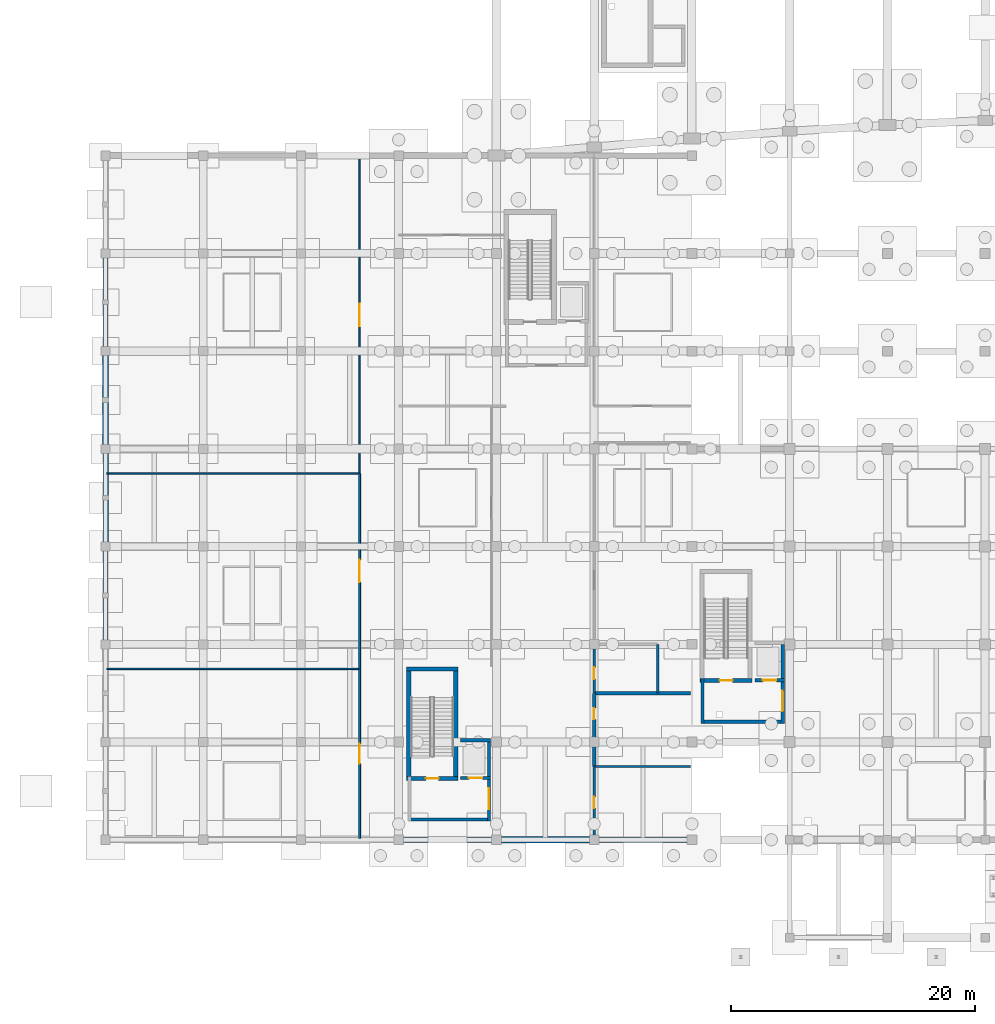
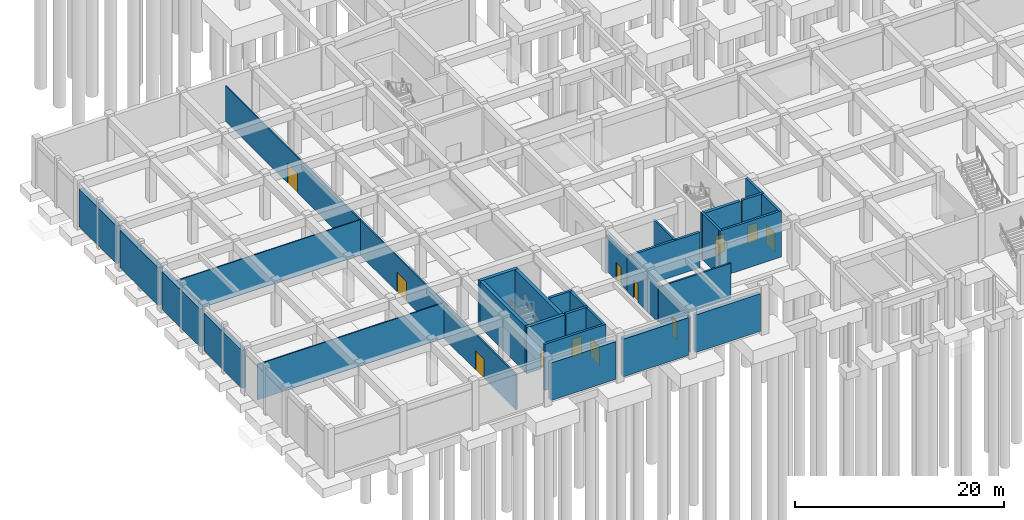
# One storey, part 25 of 45: 33 walls, 12 doors, 12 openings.
"""IFC4 building model written with IfcOpenShell, lengths in metres."""

from ifc_helpers import new_model, si_unit, direction, frame, frame_2d, origin, place, context, subcontext, project, spatial, rectangle, extrude, material, layer, layer_set, type_object, element, fill, save


model = new_model("IFC4")

# Units and contexts
model_context = context("Model", 3, precision=1e-05, world=origin(), true_north=direction((0.0, 1.0)))
body_context = subcontext(model_context, "Body", "Model", "MODEL_VIEW")
ifc_project = project(units=[si_unit("LENGTHUNIT", "METRE"), si_unit("AREAUNIT", "SQUARE_METRE"), si_unit("VOLUMEUNIT", "CUBIC_METRE"), si_unit("PLANEANGLEUNIT", "RADIAN"), si_unit("MASSUNIT", "GRAM", prefix="KILO")], contexts=[model_context])

# Site, building, storey
site_placement = place(None, origin())
site = spatial("IfcSite", under=ifc_project, at=site_placement, CompositionType="ELEMENT")
building_placement = place(site_placement, origin())
building = spatial("IfcBuilding", under=site, at=building_placement, Name="Kenh Van Central Station", CompositionType="ELEMENT")
storey_placement = place(building_placement, frame((0.0, 0.0, -5.39990234375)))
storey = spatial("IfcBuildingStorey", under=building, at=storey_placement, Name="B1", CompositionType="ELEMENT", Elevation=-5.39990234375)

# Wall, opening, door
ifc_material_1 = material(Name="Concrete C40/50", Category="concrete")
ifc_layer_1 = layer(ifc_material_1, 0.280029296875, Name="Concrete C40/50")
ifc_layer_set_1 = layer_set([ifc_layer_1], Name="Concrete C40/50")
wall_type_1 = type_object("IfcWallType", Name="WL-CORE-280", PredefinedType="SHEAR", material=ifc_layer_set_1)
wall_1_placement = place(storey_placement, frame((29.050048828125, 13.06005859375, 0.0), z_axis=(0.0, 0.0, 1.0), x_axis=(1.0, 0.0, 0.0)))
wall_1 = element("IfcWall", 1, at=wall_1_placement, inside=storey, type_object=wall_type_1, Name="B1 LIFT-P1 shaft wall S", PredefinedType="SHEAR", context=body_context, shape_type="SweptSolid", body=[
    extrude(rectangle(XDim=2.47998046875, YDim=0.280029296875, at=frame_2d((1.239990234375, 0.0))), origin(), (0.0, 0.0, 1.0), 5.39990234375),
])
opening_1_placement = place(wall_1_placement, frame((0.68994140625, 0.0, 0.0)))
opening_1 = element("IfcOpeningElement", 2, at=opening_1_placement, cuts=wall_1, Name="Opening LD-P1", PredefinedType="OPENING", context=body_context, shape_type="SweptSolid", body=[
    extrude(rectangle(XDim=1.10009765625, YDim=2.14990234375, at=frame_2d((0.550048828125, 1.074951171875))), frame((0.0, 0.14990234375, 0.0), z_axis=(0.0, -1.0, 0.0), x_axis=(1.0, 0.0, 0.0)), (0.0, 0.0, 1.0), 0.300048828125),
])
ifc_material_2 = material(Name="Champagne anodised aluminium", Category="aluminium")
door_type_1 = type_object("IfcDoorType", Name="DR-LIFT-1100x2150", OperationType="SLIDING_TO_LEFT", PredefinedType="DOOR", material=ifc_material_2)
door_1_placement = place(opening_1_placement, origin())
door_1 = element("IfcDoor", 3, at=door_1_placement, inside=storey, type_object=door_type_1, Name="B1 LIFT-P1 sliding landing door", OperationType="SLIDING_TO_LEFT", OverallHeight=2.14990234375, OverallWidth=1.10009765625, PredefinedType="DOOR", context=body_context, shape_type="SweptSolid", body=[
    extrude(rectangle(XDim=1.10009765625, YDim=2.14990234375, at=frame_2d((0.550048828125, 1.074951171875))), frame((0.0, 0.02490234375, 0.0), z_axis=(0.0, -1.0, 0.0), x_axis=(1.0, 0.0, 0.0)), (0.0, 0.0, 1.0), 0.050048828125),
])
fill(opening_1, door_1)

# Walls
wall_2_placement = place(storey_placement, frame((29.050048828125, 16.139892578125, 0.0), z_axis=(0.0, 0.0, 1.0), x_axis=(1.0, 0.0, 0.0)))
element("IfcWall", 4, at=wall_2_placement, inside=storey, type_object=wall_type_1, Name="B1 LIFT-P1 shaft wall N", PredefinedType="SHEAR", context=body_context, shape_type="SweptSolid", body=[
    extrude(rectangle(XDim=2.47998046875, YDim=0.280029296875, at=frame_2d((1.239990234375, 0.0))), origin(), (0.0, 0.0, 1.0), 5.39990234375),
])
wall_3_placement = place(storey_placement, frame((31.389892578125, 13.199951171875, 0.0), z_axis=(0.0, 0.0, 1.0), x_axis=(0.0, 1.0, 0.0)))
element("IfcWall", 5, at=wall_3_placement, inside=storey, type_object=wall_type_1, Name="B1 LIFT-P1 shaft wall E", PredefinedType="SHEAR", context=body_context, shape_type="SweptSolid", body=[
    extrude(rectangle(XDim=2.800048828125, YDim=0.280029296875, at=frame_2d((1.39990234375, 0.0))), origin(), (0.0, 0.0, 1.0), 5.39990234375),
])

# Wall, opening, door
wall_4_placement = place(storey_placement, frame((53.14990234375, 21.06005859375, 0.0), z_axis=(0.0, 0.0, 1.0), x_axis=(1.0, 0.0, 0.0)))
wall_4 = element("IfcWall", 6, at=wall_4_placement, inside=storey, type_object=wall_type_1, Name="B1 LIFT-P3 shaft wall S", PredefinedType="SHEAR", context=body_context, shape_type="SweptSolid", body=[
    extrude(rectangle(XDim=2.43017578125, YDim=0.280029296875, at=frame_2d((1.215087890625, 0.0))), origin(), (0.0, 0.0, 1.0), 5.39990234375),
])
opening_2_placement = place(wall_4_placement, frame((0.6650390625, 0.0, 0.0)))
opening_2 = element("IfcOpeningElement", 7, at=opening_2_placement, cuts=wall_4, Name="Opening LD-P1", PredefinedType="OPENING", context=body_context, shape_type="SweptSolid", body=[
    extrude(rectangle(XDim=1.10009765625, YDim=2.14990234375, at=frame_2d((0.550048828125, 1.074951171875))), frame((0.0, 0.14990234375, 0.0), z_axis=(0.0, -1.0, 0.0), x_axis=(1.0, 0.0, 0.0)), (0.0, 0.0, 1.0), 0.300048828125),
])
door_2_placement = place(opening_2_placement, origin())
door_2 = element("IfcDoor", 8, at=door_2_placement, inside=storey, type_object=door_type_1, Name="B1 LIFT-P3 sliding landing door", OperationType="SLIDING_TO_LEFT", OverallHeight=2.14990234375, OverallWidth=1.10009765625, PredefinedType="DOOR", context=body_context, shape_type="SweptSolid", body=[
    extrude(rectangle(XDim=1.10009765625, YDim=2.14990234375, at=frame_2d((0.550048828125, 1.074951171875))), frame((0.0, 0.02490234375, 0.0), z_axis=(0.0, -1.0, 0.0), x_axis=(1.0, 0.0, 0.0)), (0.0, 0.0, 1.0), 0.050048828125),
])
fill(opening_2, door_2)

# Wall
wall_5_placement = place(storey_placement, frame((55.43994140625, 21.199951171875, 0.0), z_axis=(0.0, 0.0, 1.0), x_axis=(0.0, 1.0, 0.0)))
element("IfcWall", 9, at=wall_5_placement, inside=storey, type_object=wall_type_1, Name="B1 LIFT-P3 shaft wall E", PredefinedType="SHEAR", context=body_context, shape_type="SweptSolid", body=[
    extrude(rectangle(XDim=2.800048828125, YDim=0.280029296875, at=frame_2d((1.39990234375, 0.0))), origin(), (0.0, 0.0, 1.0), 5.39990234375),
])

# Wall, opening, door
ifc_layer_2 = layer(ifc_material_1, 0.320068359375, Name="Concrete C40/50")
ifc_layer_set_2 = layer_set([ifc_layer_2], Name="Concrete C40/50")
wall_type_2 = type_object("IfcWallType", Name="WL-CORE-320", PredefinedType="SHEAR", material=ifc_layer_set_2)
wall_6_placement = place(storey_placement, frame((48.679931640625, 21.0400390625, 0.0), z_axis=(0.0, 0.0, 1.0), x_axis=(1.0, 0.0, 0.0)))
wall_6 = element("IfcWall", 10, at=wall_6_placement, inside=storey, type_object=wall_type_2, Name="B1 CORE-03 stair wall S", PredefinedType="SHEAR", context=body_context, shape_type="SweptSolid", body=[
    extrude(rectangle(XDim=4.239990234375, YDim=0.320068359375, at=frame_2d((2.1201171875, 0.0))), origin(), (0.0, 0.0, 1.0), 5.39990234375),
])
opening_3_placement = place(wall_6_placement, frame((1.594970703125, 0.0, 0.0)))
opening_3 = element("IfcOpeningElement", 11, at=opening_3_placement, cuts=wall_6, Name="Opening D-FD60", PredefinedType="OPENING", context=body_context, shape_type="SweptSolid", body=[
    extrude(rectangle(XDim=1.050048828125, YDim=2.14990234375, at=frame_2d((0.52490234375, 1.074951171875))), frame((0.0, 0.169921875, 0.0), z_axis=(0.0, -1.0, 0.0), x_axis=(1.0, 0.0, 0.0)), (0.0, 0.0, 1.0), 0.340087890625),
])
door_type_2 = type_object("IfcDoorType", Name="DR-FIRE-1050x2150", OperationType="NOTDEFINED", PredefinedType="DOOR", material=ifc_material_2)
door_3_placement = place(opening_3_placement, origin())
door_3 = element("IfcDoor", 12, at=door_3_placement, inside=storey, type_object=door_type_2, Name="B1 ST-03 stair door", OperationType="SINGLE_SWING_RIGHT", OverallHeight=2.14990234375, OverallWidth=1.050048828125, PredefinedType="DOOR", context=body_context, shape_type="SweptSolid", body=[
    extrude(rectangle(XDim=1.050048828125, YDim=2.14990234375, at=frame_2d((0.52490234375, 1.074951171875))), frame((0.0, 0.02490234375, 0.0), z_axis=(0.0, -1.0, 0.0), x_axis=(1.0, 0.0, 0.0)), (0.0, 0.0, 1.0), 0.050048828125),
])
fill(opening_3, door_3)

ifc_layer_3 = layer(ifc_material_1, 0.360107421875, Name="Concrete C40/50")
ifc_layer_set_3 = layer_set([ifc_layer_3], Name="Concrete C40/50")
wall_type_3 = type_object("IfcWallType", Name="WL-CORE-360", PredefinedType="SHEAR", material=ifc_layer_set_3)
wall_7_placement = place(storey_placement, frame((24.639892578125, 13.02001953125, 0.0), z_axis=(0.0, 0.0, 1.0), x_axis=(1.0, 0.0, 0.0)))
wall_7 = element("IfcWall", 13, at=wall_7_placement, inside=storey, type_object=wall_type_3, Name="B1 CORE-01 stair wall S", PredefinedType="SHEAR", context=body_context, shape_type="SweptSolid", body=[
    extrude(rectangle(XDim=4.22021484375, YDim=0.360107421875, at=frame_2d((2.110107421875, 0.0))), origin(), (0.0, 0.0, 1.0), 5.39990234375),
])
opening_4_placement = place(wall_7_placement, frame((1.5849609375, 0.0, 0.0)))
opening_4 = element("IfcOpeningElement", 14, at=opening_4_placement, cuts=wall_7, Name="Opening D-FD60", PredefinedType="OPENING", context=body_context, shape_type="SweptSolid", body=[
    extrude(rectangle(XDim=1.050048828125, YDim=2.14990234375, at=frame_2d((0.52490234375, 1.074951171875))), frame((0.0, 0.18994140625, 0.0), z_axis=(0.0, -1.0, 0.0), x_axis=(1.0, 0.0, 0.0)), (0.0, 0.0, 1.0), 0.380126953125),
])
door_4_placement = place(opening_4_placement, origin())
door_4 = element("IfcDoor", 15, at=door_4_placement, inside=storey, type_object=door_type_2, Name="B1 ST-01 stair door", OperationType="SINGLE_SWING_RIGHT", OverallHeight=2.14990234375, OverallWidth=1.050048828125, PredefinedType="DOOR", context=body_context, shape_type="SweptSolid", body=[
    extrude(rectangle(XDim=1.050048828125, YDim=2.14990234375, at=frame_2d((0.52490234375, 1.074951171875))), frame((0.0, 0.02490234375, 0.0), z_axis=(0.0, -1.0, 0.0), x_axis=(1.0, 0.0, 0.0)), (0.0, 0.0, 1.0), 0.050048828125),
])
fill(opening_4, door_4)

# Walls
wall_8_placement = place(storey_placement, frame((24.639892578125, 21.97998046875, 0.0), z_axis=(0.0, 0.0, 1.0), x_axis=(1.0, 0.0, 0.0)))
element("IfcWall", 16, at=wall_8_placement, inside=storey, type_object=wall_type_3, Name="B1 CORE-01 stair wall N", PredefinedType="SHEAR", context=body_context, shape_type="SweptSolid", body=[
    extrude(rectangle(XDim=4.22021484375, YDim=0.360107421875, at=frame_2d((2.110107421875, 0.0))), origin(), (0.0, 0.0, 1.0), 5.39990234375),
])
for number, where, z_axis, x_axis, name in (
    (17, (24.820068359375, 13.199951171875, 0.0), (0.0, 0.0, 1.0), (0.0, 1.0, 0.0), "B1 CORE-01 stair wall W"),
    (18, (28.679931640625, 13.199951171875, 0.0), (0.0, 0.0, 1.0), (0.0, 1.0, 0.0), "B1 CORE-01 stair wall E"),
):
    element("IfcWall", number, at=place(storey_placement, frame(where, z_axis=z_axis, x_axis=x_axis)), inside=storey, type_object=wall_type_3, Name=name, PredefinedType="SHEAR", context=body_context, shape_type="SweptSolid", body=[
        extrude(rectangle(XDim=8.60009765625, YDim=0.360107421875, at=frame_2d((4.300048828125, 0.0))), origin(), (0.0, 0.0, 1.0), 5.39990234375),
    ])
ifc_layer_4 = layer(ifc_material_1, 0.260009765625, Name="Concrete C40/50")
ifc_layer_set_4 = layer_set([ifc_layer_4], Name="Concrete C40/50")
wall_type_4 = type_object("IfcWallType", Name="WL-FIRE-260", PredefinedType="SHEAR", material=ifc_layer_set_4)
wall_9_placement = place(storey_placement, frame((31.510009765625, 9.669921875, 0.0), z_axis=(0.0, 0.0, 1.0), x_axis=(-1.0, 0.0, 0.0)))
element("IfcWall", 19, at=wall_9_placement, inside=storey, type_object=wall_type_4, Name="B1 CORE-01 lobby wall S", PredefinedType="SHEAR", context=body_context, shape_type="SweptSolid", body=[
    extrude(rectangle(XDim=6.77001953125, YDim=0.260009765625, at=frame_2d((3.385009765625, 0.0))), origin(), (0.0, 0.0, 1.0), 5.39990234375),
])

# Wall, opening, door
wall_10_placement = place(storey_placement, frame((31.3798828125, 9.5400390625, 0.0), z_axis=(0.0, 0.0, 1.0), x_axis=(0.0, 1.0, 0.0)))
wall_10 = element("IfcWall", 20, at=wall_10_placement, inside=storey, type_object=wall_type_4, Name="B1 CORE-01 lobby wall E", PredefinedType="SHEAR", context=body_context, shape_type="SweptSolid", body=[
    extrude(rectangle(XDim=3.659912109375, YDim=0.260009765625, at=frame_2d((1.830078125, 0.0))), origin(), (0.0, 0.0, 1.0), 5.39990234375),
])
opening_5_placement = place(wall_10_placement, frame((0.97998046875, 0.0, 0.0)))
opening_5 = element("IfcOpeningElement", 21, at=opening_5_placement, cuts=wall_10, Name="Opening D-FD60D", PredefinedType="OPENING", context=body_context, shape_type="SweptSolid", body=[
    extrude(rectangle(XDim=1.699951171875, YDim=2.199951171875, at=frame_2d((0.85009765625, 1.10009765625))), frame((0.0, 0.139892578125, 0.0), z_axis=(0.0, -1.0, 0.0), x_axis=(1.0, 0.0, 0.0)), (0.0, 0.0, 1.0), 0.280029296875),
])
door_type_3 = type_object("IfcDoorType", Name="DR-FIRE-1700x2200", OperationType="DOUBLE_DOOR_SINGLE_SWING", PredefinedType="DOOR", material=ifc_material_2)
door_5_placement = place(opening_5_placement, origin())
door_5 = element("IfcDoor", 22, at=door_5_placement, inside=storey, type_object=door_type_3, Name="B1 CORE-01 smoke-stop lobby door", OperationType="DOUBLE_DOOR_SINGLE_SWING", OverallHeight=2.199951171875, OverallWidth=1.699951171875, PredefinedType="DOOR", context=body_context, shape_type="SweptSolid", body=[
    extrude(rectangle(XDim=1.699951171875, YDim=2.199951171875, at=frame_2d((0.85009765625, 1.10009765625))), frame((0.0, 0.02490234375, 0.0), z_axis=(0.0, -1.0, 0.0), x_axis=(1.0, 0.0, 0.0)), (0.0, 0.0, 1.0), 0.050048828125),
])
fill(opening_5, door_5)

# Walls
wall_11_placement = place(storey_placement, frame((55.56005859375, 17.669921875, 0.0), z_axis=(0.0, 0.0, 1.0), x_axis=(-1.0, 0.0, 0.0)))
element("IfcWall", 23, at=wall_11_placement, inside=storey, type_object=wall_type_4, Name="B1 CORE-03 lobby wall S", PredefinedType="SHEAR", context=body_context, shape_type="SweptSolid", body=[
    extrude(rectangle(XDim=6.820068359375, YDim=0.260009765625, at=frame_2d((3.41015625, 0.0))), origin(), (0.0, 0.0, 1.0), 5.39990234375),
])
wall_12_placement = place(storey_placement, frame((48.8701171875, 17.5400390625, 0.0), z_axis=(0.0, 0.0, 1.0), x_axis=(0.0, 1.0, 0.0)))
element("IfcWall", 24, at=wall_12_placement, inside=storey, type_object=wall_type_4, Name="B1 CORE-03 lobby wall W", PredefinedType="SHEAR", context=body_context, shape_type="SweptSolid", body=[
    extrude(rectangle(XDim=3.659912109375, YDim=0.260009765625, at=frame_2d((1.830078125, 0.0))), origin(), (0.0, 0.0, 1.0), 5.39990234375),
])

# Wall, opening, door
wall_13_placement = place(storey_placement, frame((55.429931640625, 17.5400390625, 0.0), z_axis=(0.0, 0.0, 1.0), x_axis=(0.0, 1.0, 0.0)))
wall_13 = element("IfcWall", 25, at=wall_13_placement, inside=storey, type_object=wall_type_4, Name="B1 CORE-03 lobby wall E", PredefinedType="SHEAR", context=body_context, shape_type="SweptSolid", body=[
    extrude(rectangle(XDim=3.659912109375, YDim=0.260009765625, at=frame_2d((1.830078125, 0.0))), origin(), (0.0, 0.0, 1.0), 5.39990234375),
])
opening_6_placement = place(wall_13_placement, frame((0.97998046875, 0.0, 0.0)))
opening_6 = element("IfcOpeningElement", 26, at=opening_6_placement, cuts=wall_13, Name="Opening D-FD60D", PredefinedType="OPENING", context=body_context, shape_type="SweptSolid", body=[
    extrude(rectangle(XDim=1.699951171875, YDim=2.199951171875, at=frame_2d((0.85009765625, 1.10009765625))), frame((0.0, 0.139892578125, 0.0), z_axis=(0.0, -1.0, 0.0), x_axis=(1.0, 0.0, 0.0)), (0.0, 0.0, 1.0), 0.280029296875),
])
door_6_placement = place(opening_6_placement, origin())
door_6 = element("IfcDoor", 27, at=door_6_placement, inside=storey, type_object=door_type_3, Name="B1 CORE-03 smoke-stop lobby door", OperationType="DOUBLE_DOOR_SINGLE_SWING", OverallHeight=2.199951171875, OverallWidth=1.699951171875, PredefinedType="DOOR", context=body_context, shape_type="SweptSolid", body=[
    extrude(rectangle(XDim=1.699951171875, YDim=2.199951171875, at=frame_2d((0.85009765625, 1.10009765625))), frame((0.0, 0.02490234375, 0.0), z_axis=(0.0, -1.0, 0.0), x_axis=(1.0, 0.0, 0.0)), (0.0, 0.0, 1.0), 0.050048828125),
])
fill(opening_6, door_6)

# Walls
ifc_material_3 = material(Name="Lightweight acoustic masonry blockwork", Category="masonry")
ifc_layer_5 = layer(ifc_material_3, 0.114990234375, Name="Lightweight acoustic masonry blockwork")
ifc_layer_set_5 = layer_set([ifc_layer_5], Name="Lightweight acoustic masonry blockwork")
wall_type_5 = type_object("IfcWallType", Name="WL-PART-115", PredefinedType="PARTITIONING", material=ifc_layer_set_5)
wall_14_placement = place(storey_placement, frame((0.1201171875, 38.0, 0.0), z_axis=(0.0, 0.0, 1.0), x_axis=(1.0, 0.0, 0.0)))
element("IfcWall", 28, at=wall_14_placement, inside=storey, type_object=wall_type_5, Name="B1 interior wall 0005", PredefinedType="PARTITIONING", context=body_context, shape_type="SweptSolid", body=[
    extrude(rectangle(XDim=20.659912109375, YDim=0.114990234375, at=frame_2d((10.330078125, 0.0))), origin(), (0.0, 0.0, 1.0), 4.14990234375),
])
ifc_layer_6 = layer(ifc_material_3, 0.125, Name="Lightweight acoustic masonry blockwork")
ifc_layer_set_6 = layer_set([ifc_layer_6], Name="Lightweight acoustic masonry blockwork")
wall_type_6 = type_object("IfcWallType", Name="WL-PART-125", PredefinedType="PARTITIONING", material=ifc_layer_set_6)
wall_15_placement = place(storey_placement, frame((0.1201171875, 22.0, 0.0), z_axis=(0.0, 0.0, 1.0), x_axis=(1.0, 0.0, 0.0)))
element("IfcWall", 29, at=wall_15_placement, inside=storey, type_object=wall_type_6, Name="B1 interior wall 0004", PredefinedType="PARTITIONING", context=body_context, shape_type="SweptSolid", body=[
    extrude(rectangle(XDim=20.659912109375, YDim=0.125, at=frame_2d((10.330078125, 0.0))), origin(), (0.0, 0.0, 1.0), 4.14990234375),
])

# Wall, opening, door
ifc_layer_7 = layer(ifc_material_3, 0.135009765625, Name="Lightweight acoustic masonry blockwork")
ifc_layer_set_7 = layer_set([ifc_layer_7], Name="Lightweight acoustic masonry blockwork")
wall_type_7 = type_object("IfcWallType", Name="WL-PART-135", PredefinedType="PARTITIONING", material=ifc_layer_set_7)
wall_16_placement = place(storey_placement, frame((20.800048828125, 38.02001953125, 0.0), z_axis=(0.0, 0.0, 1.0), x_axis=(0.0, 1.0, 0.0)))
wall_16 = element("IfcWall", 30, at=wall_16_placement, inside=storey, type_object=wall_type_7, Name="B1 interior wall 0003", PredefinedType="PARTITIONING", context=body_context, shape_type="SweptSolid", body=[
    extrude(rectangle(XDim=25.85986328125, YDim=0.135009765625, at=frame_2d((12.929931640625, 0.0))), origin(), (0.0, 0.0, 1.0), 4.14990234375),
])
opening_7_placement = place(wall_16_placement, frame((12.0048828125, 0.0, 0.0)))
opening_7 = element("IfcOpeningElement", 31, at=opening_7_placement, cuts=wall_16, Name="Opening D-IN01", PredefinedType="OPENING", context=body_context, shape_type="SweptSolid", body=[
    extrude(rectangle(XDim=1.85009765625, YDim=2.300048828125, at=frame_2d((0.925048828125, 1.14990234375))), frame((0.0, 0.077392578125, 0.0), z_axis=(0.0, -1.0, 0.0), x_axis=(1.0, 0.0, 0.0)), (0.0, 0.0, 1.0), 0.155029296875),
])
ifc_material_4 = material(Name="Architectural hardwood timber", Category="wood")
door_type_4 = type_object("IfcDoorType", Name="DR-INT-1850x2300", OperationType="DOUBLE_DOOR_SINGLE_SWING", PredefinedType="DOOR", material=ifc_material_4)
door_7_placement = place(opening_7_placement, origin())
door_7 = element("IfcDoor", 32, at=door_7_placement, inside=storey, type_object=door_type_4, Name="B1 interior door 0003", OperationType="DOUBLE_DOOR_SINGLE_SWING", OverallHeight=2.300048828125, OverallWidth=1.85009765625, PredefinedType="DOOR", context=body_context, shape_type="SweptSolid", body=[
    extrude(rectangle(XDim=1.85009765625, YDim=2.300048828125, at=frame_2d((0.925048828125, 1.14990234375))), frame((0.0, 0.02490234375, 0.0), z_axis=(0.0, -1.0, 0.0), x_axis=(1.0, 0.0, 0.0)), (0.0, 0.0, 1.0), 0.050048828125),
])
fill(opening_7, door_7)

ifc_layer_8 = layer(ifc_material_3, 0.14990234375, Name="Lightweight acoustic masonry blockwork")
ifc_layer_set_8 = layer_set([ifc_layer_8], Name="Lightweight acoustic masonry blockwork")
wall_type_8 = type_object("IfcWallType", Name="WL-PART-150", PredefinedType="PARTITIONING", material=ifc_layer_set_8)
wall_17_placement = place(storey_placement, frame((20.800048828125, 22.02001953125, 0.0), z_axis=(0.0, 0.0, 1.0), x_axis=(0.0, 1.0, 0.0)))
wall_17 = element("IfcWall", 33, at=wall_17_placement, inside=storey, type_object=wall_type_8, Name="B1 interior wall 0002", PredefinedType="PARTITIONING", context=body_context, shape_type="SweptSolid", body=[
    extrude(rectangle(XDim=15.9599609375, YDim=0.14990234375, at=frame_2d((7.97998046875, 0.0))), origin(), (0.0, 0.0, 1.0), 4.14990234375),
])
opening_8_placement = place(wall_17_placement, frame((7.054931640625, 0.0, 0.0)))
opening_8 = element("IfcOpeningElement", 34, at=opening_8_placement, cuts=wall_17, Name="Opening D-IN01", PredefinedType="OPENING", context=body_context, shape_type="SweptSolid", body=[
    extrude(rectangle(XDim=1.85009765625, YDim=2.300048828125, at=frame_2d((0.925048828125, 1.14990234375))), frame((0.0, 0.0849609375, 0.0), z_axis=(0.0, -1.0, 0.0), x_axis=(1.0, 0.0, 0.0)), (0.0, 0.0, 1.0), 0.169921875),
])
door_8_placement = place(opening_8_placement, origin())
door_8 = element("IfcDoor", 35, at=door_8_placement, inside=storey, type_object=door_type_4, Name="B1 interior door 0002", OperationType="DOUBLE_DOOR_SINGLE_SWING", OverallHeight=2.300048828125, OverallWidth=1.85009765625, PredefinedType="DOOR", context=body_context, shape_type="SweptSolid", body=[
    extrude(rectangle(XDim=1.85009765625, YDim=2.300048828125, at=frame_2d((0.925048828125, 1.14990234375))), frame((0.0, 0.02490234375, 0.0), z_axis=(0.0, -1.0, 0.0), x_axis=(1.0, 0.0, 0.0)), (0.0, 0.0, 1.0), 0.050048828125),
])
fill(opening_8, door_8)

ifc_layer_9 = layer(ifc_material_3, 0.159912109375, Name="Lightweight acoustic masonry blockwork")
ifc_layer_set_9 = layer_set([ifc_layer_9], Name="Lightweight acoustic masonry blockwork")
wall_type_9 = type_object("IfcWallType", Name="WL-PART-160", PredefinedType="PARTITIONING", material=ifc_layer_set_9)
wall_18_placement = place(storey_placement, frame((20.800048828125, 8.1201171875, 0.0), z_axis=(0.0, 0.0, 1.0), x_axis=(0.0, 1.0, 0.0)))
wall_18 = element("IfcWall", 36, at=wall_18_placement, inside=storey, type_object=wall_type_9, Name="B1 interior wall 0001", PredefinedType="PARTITIONING", context=body_context, shape_type="SweptSolid", body=[
    extrude(rectangle(XDim=13.85986328125, YDim=0.159912109375, at=frame_2d((6.929931640625, 0.0))), origin(), (0.0, 0.0, 1.0), 4.14990234375),
])
opening_9_placement = place(wall_18_placement, frame((6.10498046875, 0.0, 0.0)))
opening_9 = element("IfcOpeningElement", 37, at=opening_9_placement, cuts=wall_18, Name="Opening D-IN02", PredefinedType="OPENING", context=body_context, shape_type="SweptSolid", body=[
    extrude(rectangle(XDim=1.64990234375, YDim=2.25, at=frame_2d((0.824951171875, 1.125))), frame((0.0, 0.08984375, 0.0), z_axis=(0.0, -1.0, 0.0), x_axis=(1.0, 0.0, 0.0)), (0.0, 0.0, 1.0), 0.179931640625),
])
door_type_5 = type_object("IfcDoorType", Name="DR-INT-1650x2250", OperationType="DOUBLE_DOOR_SINGLE_SWING", PredefinedType="DOOR", material=ifc_material_4)
door_9_placement = place(opening_9_placement, origin())
door_9 = element("IfcDoor", 38, at=door_9_placement, inside=storey, type_object=door_type_5, Name="B1 interior door 0001", OperationType="DOUBLE_DOOR_SINGLE_SWING", OverallHeight=2.25, OverallWidth=1.64990234375, PredefinedType="DOOR", context=body_context, shape_type="SweptSolid", body=[
    extrude(rectangle(XDim=1.64990234375, YDim=2.25, at=frame_2d((0.824951171875, 1.125))), frame((0.0, 0.02490234375, 0.0), z_axis=(0.0, -1.0, 0.0), x_axis=(1.0, 0.0, 0.0)), (0.0, 0.0, 1.0), 0.050048828125),
])
fill(opening_9, door_9)

ifc_layer_10 = layer(ifc_material_3, 0.18505859375, Name="Lightweight acoustic masonry blockwork")
ifc_layer_set_10 = layer_set([ifc_layer_10], Name="Lightweight acoustic masonry blockwork")
wall_type_10 = type_object("IfcWallType", Name="WL-PLMB-185", PredefinedType="PLUMBINGWALL", material=ifc_layer_set_10)
wall_19_placement = place(storey_placement, frame((40.0, 8.1201171875, 0.0), z_axis=(0.0, 0.0, 1.0), x_axis=(0.0, 1.0, 0.0)))
wall_19 = element("IfcWall", 39, at=wall_19_placement, inside=storey, type_object=wall_type_10, Name="B1 interior wall 0011", PredefinedType="PLUMBINGWALL", context=body_context, shape_type="SweptSolid", body=[
    extrude(rectangle(XDim=5.85986328125, YDim=0.18505859375, at=frame_2d((2.929931640625, 0.0))), origin(), (0.0, 0.0, 1.0), 4.14990234375),
])
opening_10_placement = place(wall_19_placement, frame((2.469970703125, 0.0, 0.0)))
opening_10 = element("IfcOpeningElement", 40, at=opening_10_placement, cuts=wall_19, Name="Opening D-IN09", PredefinedType="OPENING", context=body_context, shape_type="SweptSolid", body=[
    extrude(rectangle(XDim=0.919921875, YDim=2.10009765625, at=frame_2d((0.4599609375, 1.050048828125))), frame((0.0, 0.1025390625, 0.0), z_axis=(0.0, -1.0, 0.0), x_axis=(1.0, 0.0, 0.0)), (0.0, 0.0, 1.0), 0.205078125),
])
door_type_6 = type_object("IfcDoorType", Name="DR-INT-920x2100", OperationType="NOTDEFINED", PredefinedType="DOOR", material=ifc_material_4)
door_10_placement = place(opening_10_placement, origin())
door_10 = element("IfcDoor", 41, at=door_10_placement, inside=storey, type_object=door_type_6, Name="B1 interior door 0006", OperationType="SINGLE_SWING_LEFT", OverallHeight=2.10009765625, OverallWidth=0.919921875, PredefinedType="DOOR", context=body_context, shape_type="SweptSolid", body=[
    extrude(rectangle(XDim=0.919921875, YDim=2.10009765625, at=frame_2d((0.4599609375, 1.050048828125))), frame((0.0, 0.02490234375, 0.0), z_axis=(0.0, -1.0, 0.0), x_axis=(1.0, 0.0, 0.0)), (0.0, 0.0, 1.0), 0.050048828125),
])
fill(opening_10, door_10)

# Walls
wall_20_placement = place(storey_placement, frame((40.02001953125, 14.0, 0.0), z_axis=(0.0, 0.0, 1.0), x_axis=(1.0, 0.0, 0.0)))
element("IfcWall", 42, at=wall_20_placement, inside=storey, type_object=wall_type_10, Name="B1 interior wall 0014", PredefinedType="PLUMBINGWALL", context=body_context, shape_type="SweptSolid", body=[
    extrude(rectangle(XDim=7.85986328125, YDim=0.18505859375, at=frame_2d((3.929931640625, 0.0))), origin(), (0.0, 0.0, 1.0), 4.14990234375),
])
wall_21_placement = place(storey_placement, frame((45.199951171875, 20.02001953125, 0.0), z_axis=(0.0, 0.0, 1.0), x_axis=(0.0, 1.0, 0.0)))
element("IfcWall", 43, at=wall_21_placement, inside=storey, type_object=wall_type_10, Name="B1 interior wall 0017", PredefinedType="PLUMBINGWALL", context=body_context, shape_type="SweptSolid", body=[
    extrude(rectangle(XDim=3.9599609375, YDim=0.18505859375, at=frame_2d((1.97998046875, 0.0))), origin(), (0.0, 0.0, 1.0), 4.14990234375),
])

# Wall, opening, door
ifc_layer_11 = layer(ifc_material_3, 0.22998046875, Name="Lightweight acoustic masonry blockwork")
ifc_layer_set_11 = layer_set([ifc_layer_11], Name="Lightweight acoustic masonry blockwork")
wall_type_11 = type_object("IfcWallType", Name="WL-PLMB-230", PredefinedType="PLUMBINGWALL", material=ifc_layer_set_11)
wall_22_placement = place(storey_placement, frame((40.0, 20.02001953125, 0.0), z_axis=(0.0, 0.0, 1.0), x_axis=(0.0, 1.0, 0.0)))
wall_22 = element("IfcWall", 44, at=wall_22_placement, inside=storey, type_object=wall_type_11, Name="B1 interior wall 0013", PredefinedType="PLUMBINGWALL", context=body_context, shape_type="SweptSolid", body=[
    extrude(rectangle(XDim=3.9599609375, YDim=0.22998046875, at=frame_2d((1.97998046875, 0.0))), origin(), (0.0, 0.0, 1.0), 4.14990234375),
])
opening_11_placement = place(wall_22_placement, frame((1.139892578125, 0.0, 0.0)))
opening_11 = element("IfcOpeningElement", 45, at=opening_11_placement, cuts=wall_22, Name="Opening D-IN08", PredefinedType="OPENING", context=body_context, shape_type="SweptSolid", body=[
    extrude(rectangle(XDim=0.9599609375, YDim=2.10009765625, at=frame_2d((0.47998046875, 1.050048828125))), frame((0.0, 0.125, 0.0), z_axis=(0.0, -1.0, 0.0), x_axis=(1.0, 0.0, 0.0)), (0.0, 0.0, 1.0), 0.25),
])
door_type_7 = type_object("IfcDoorType", Name="DR-INT-960x2100", OperationType="NOTDEFINED", PredefinedType="DOOR", material=ifc_material_4)
door_11_placement = place(opening_11_placement, origin())
door_11 = element("IfcDoor", 46, at=door_11_placement, inside=storey, type_object=door_type_7, Name="B1 interior door 0008", OperationType="SINGLE_SWING_LEFT", OverallHeight=2.10009765625, OverallWidth=0.9599609375, PredefinedType="DOOR", context=body_context, shape_type="SweptSolid", body=[
    extrude(rectangle(XDim=0.9599609375, YDim=2.10009765625, at=frame_2d((0.47998046875, 1.050048828125))), frame((0.0, 0.02490234375, 0.0), z_axis=(0.0, -1.0, 0.0), x_axis=(1.0, 0.0, 0.0)), (0.0, 0.0, 1.0), 0.050048828125),
])
fill(opening_11, door_11)

ifc_layer_12 = layer(ifc_material_3, 0.27001953125, Name="Lightweight acoustic masonry blockwork")
ifc_layer_set_12 = layer_set([ifc_layer_12], Name="Lightweight acoustic masonry blockwork")
wall_type_12 = type_object("IfcWallType", Name="WL-PLMB-270", PredefinedType="PLUMBINGWALL", material=ifc_layer_set_12)
wall_23_placement = place(storey_placement, frame((40.0, 14.02001953125, 0.0), z_axis=(0.0, 0.0, 1.0), x_axis=(0.0, 1.0, 0.0)))
wall_23 = element("IfcWall", 47, at=wall_23_placement, inside=storey, type_object=wall_type_12, Name="B1 interior wall 0012", PredefinedType="PLUMBINGWALL", context=body_context, shape_type="SweptSolid", body=[
    extrude(rectangle(XDim=5.9599609375, YDim=0.27001953125, at=frame_2d((2.97998046875, 0.0))), origin(), (0.0, 0.0, 1.0), 4.14990234375),
])
opening_12_placement = place(wall_23_placement, frame((3.830322265625, 0.0, 0.0)))
opening_12 = element("IfcOpeningElement", 48, at=opening_12_placement, cuts=wall_23, Name="Opening D-IN09", PredefinedType="OPENING", context=body_context, shape_type="SweptSolid", body=[
    extrude(rectangle(XDim=0.919921875, YDim=2.10009765625, at=frame_2d((0.4599609375, 1.050048828125))), frame((0.0, 0.14501953125, 0.0), z_axis=(0.0, -1.0, 0.0), x_axis=(1.0, 0.0, 0.0)), (0.0, 0.0, 1.0), 0.2900390625),
])
door_12_placement = place(opening_12_placement, origin())
door_12 = element("IfcDoor", 49, at=door_12_placement, inside=storey, type_object=door_type_6, Name="B1 interior door 0007", OperationType="SINGLE_SWING_RIGHT", OverallHeight=2.10009765625, OverallWidth=0.919921875, PredefinedType="DOOR", context=body_context, shape_type="SweptSolid", body=[
    extrude(rectangle(XDim=0.919921875, YDim=2.10009765625, at=frame_2d((0.4599609375, 1.050048828125))), frame((0.0, 0.02490234375, 0.0), z_axis=(0.0, -1.0, 0.0), x_axis=(1.0, 0.0, 0.0)), (0.0, 0.0, 1.0), 0.050048828125),
])
fill(opening_12, door_12)

# Walls
wall_24_placement = place(storey_placement, frame((40.02001953125, 20.0, 0.0), z_axis=(0.0, 0.0, 1.0), x_axis=(1.0, 0.0, 0.0)))
element("IfcWall", 50, at=wall_24_placement, inside=storey, type_object=wall_type_12, Name="B1 interior wall 0015", PredefinedType="PLUMBINGWALL", context=body_context, shape_type="SweptSolid", body=[
    extrude(rectangle(XDim=7.85986328125, YDim=0.27001953125, at=frame_2d((3.929931640625, 0.0))), origin(), (0.0, 0.0, 1.0), 4.14990234375),
])
ifc_layer_13 = layer(ifc_material_1, 0.419921875, Name="Concrete C40/50")
ifc_layer_set_13 = layer_set([ifc_layer_13], Name="Concrete C40/50")
wall_type_13 = type_object("IfcWallType", Name="WL-RET-420", PredefinedType="USERDEFINED", material=ifc_layer_set_13)
wall_25_placement = place(storey_placement, frame((40.39990234375, 8.0, 0.0), z_axis=(0.0, 0.0, 1.0), x_axis=(1.0, 0.0, 0.0)))
element("IfcWall", 51, at=wall_25_placement, inside=storey, type_object=wall_type_13, Name="B1 retaining wall 006", ObjectType="RETAININGWALL", PredefinedType="USERDEFINED", context=body_context, shape_type="SweptSolid", body=[
    extrude(rectangle(XDim=7.2001953125, YDim=0.419921875, at=frame_2d((3.60009765625, 0.0))), origin(), (0.0, 0.0, 1.0), 4.39990234375),
])
for number, where, z_axis, x_axis, name in (
    (52, (0.0, 24.375, 0.0), (0.0, 0.0, 1.0), (0.0, 1.0, 0.0), "B1 retaining wall 009"),
    (53, (0.0, 48.375, 0.0), (0.0, 0.0, 1.0), (0.0, 1.0, 0.0), "B1 retaining wall 012"),
):
    element("IfcWall", number, at=place(storey_placement, frame(where, z_axis=z_axis, x_axis=x_axis)), inside=storey, type_object=wall_type_13, Name=name, ObjectType="RETAININGWALL", PredefinedType="USERDEFINED", context=body_context, shape_type="SweptSolid", body=[
        extrude(rectangle(XDim=7.25, YDim=0.419921875, at=frame_2d((3.625, 0.0))), origin(), (0.0, 0.0, 1.0), 4.39990234375),
    ])
ifc_layer_14 = layer(ifc_material_1, 0.449951171875, Name="Concrete C40/50")
ifc_layer_set_14 = layer_set([ifc_layer_14], Name="Concrete C40/50")
wall_type_14 = type_object("IfcWallType", Name="WL-RET-450", PredefinedType="USERDEFINED", material=ifc_layer_set_14)
wall_26_placement = place(storey_placement, frame((24.39990234375, 8.0, 0.0), z_axis=(0.0, 0.0, 1.0), x_axis=(1.0, 0.0, 0.0)))
element("IfcWall", 54, at=wall_26_placement, inside=storey, type_object=wall_type_14, Name="B1 retaining wall 004", ObjectType="RETAININGWALL", PredefinedType="USERDEFINED", context=body_context, shape_type="SweptSolid", body=[
    extrude(rectangle(XDim=7.2001953125, YDim=0.449951171875, at=frame_2d((3.60009765625, 0.0))), origin(), (0.0, 0.0, 1.0), 4.39990234375),
])
wall_27_placement = place(storey_placement, frame((0.0, 32.375, 0.0), z_axis=(0.0, 0.0, 1.0), x_axis=(0.0, 1.0, 0.0)))
element("IfcWall", 55, at=wall_27_placement, inside=storey, type_object=wall_type_14, Name="B1 retaining wall 010", ObjectType="RETAININGWALL", PredefinedType="USERDEFINED", context=body_context, shape_type="SweptSolid", body=[
    extrude(rectangle(XDim=7.25, YDim=0.449951171875, at=frame_2d((3.625, 0.0))), origin(), (0.0, 0.0, 1.0), 4.39990234375),
])
ifc_layer_15 = layer(ifc_material_1, 0.5, Name="Concrete C40/50")
ifc_layer_set_15 = layer_set([ifc_layer_15], Name="Concrete C40/50")
wall_type_15 = type_object("IfcWallType", Name="WL-RET-500", PredefinedType="USERDEFINED", material=ifc_layer_set_15)
wall_28_placement = place(storey_placement, frame((32.39990234375, 8.0, 0.0), z_axis=(0.0, 0.0, 1.0), x_axis=(1.0, 0.0, 0.0)))
element("IfcWall", 56, at=wall_28_placement, inside=storey, type_object=wall_type_15, Name="B1 retaining wall 005", ObjectType="RETAININGWALL", PredefinedType="USERDEFINED", context=body_context, shape_type="SweptSolid", body=[
    extrude(rectangle(XDim=7.2001953125, YDim=0.5, at=frame_2d((3.60009765625, 0.0))), origin(), (0.0, 0.0, 1.0), 4.39990234375),
])
wall_29_placement = place(storey_placement, frame((0.0, 40.375, 0.0), z_axis=(0.0, 0.0, 1.0), x_axis=(0.0, 1.0, 0.0)))
element("IfcWall", 57, at=wall_29_placement, inside=storey, type_object=wall_type_15, Name="B1 retaining wall 011", ObjectType="RETAININGWALL", PredefinedType="USERDEFINED", context=body_context, shape_type="SweptSolid", body=[
    extrude(rectangle(XDim=7.25, YDim=0.5, at=frame_2d((3.625, 0.0))), origin(), (0.0, 0.0, 1.0), 4.39990234375),
])

save(model, "model.ifc")
